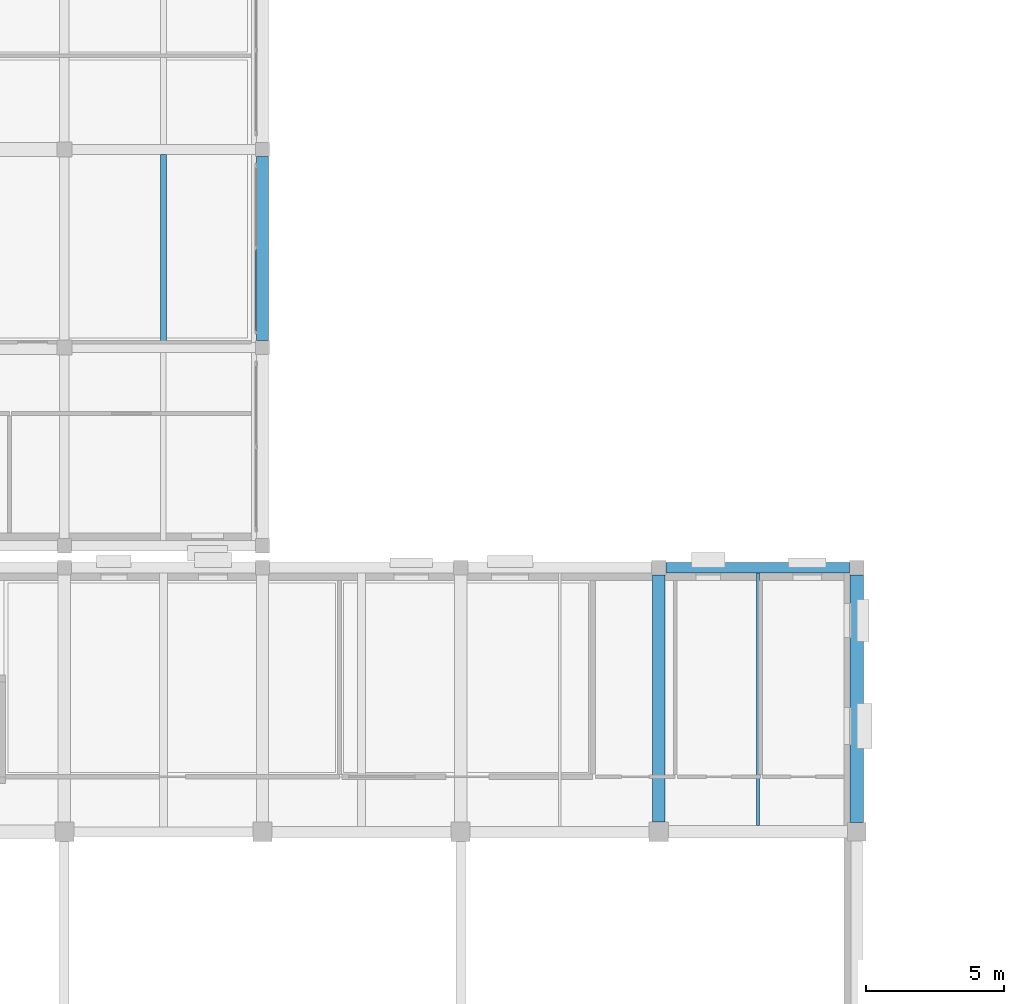
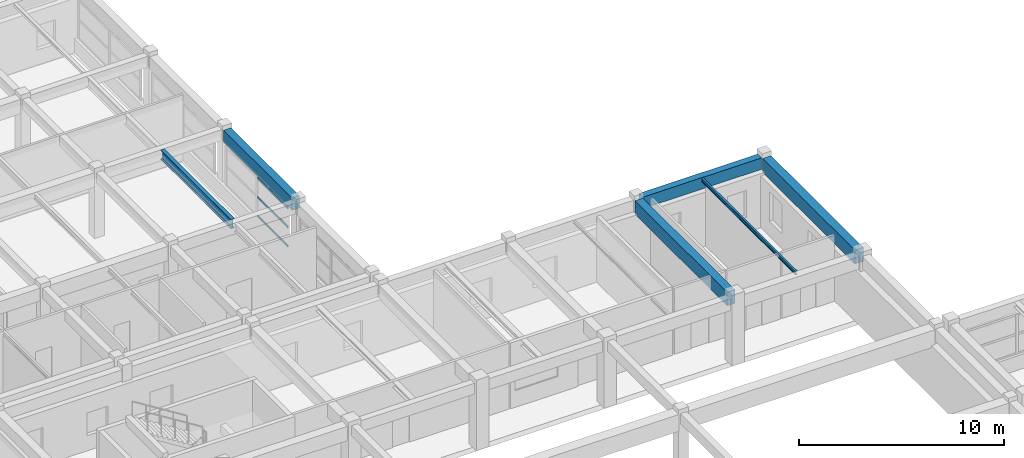
# One storey, part 9 of 67: 6 beams, 3 members, 1 element without a shape of its own.
"""IFC4 building model written with IfcOpenShell, lengths in metres."""

from ifc_helpers import new_model, si_unit, direction, frame, origin, origin_2d, place, context, subcontext, project, spatial, rectangle, hollow_rectangle, i_section, extrude, material, material_profile, profile_set, type_object, element, aggregate, save


model = new_model("IFC4")

# Units and contexts
model_context = context("Model", 3, precision=1e-05, world=origin(), true_north=direction((0.0, 1.0)))
body_context = subcontext(model_context, "Body", "Model", "MODEL_VIEW")
ifc_project = project(units=[si_unit("LENGTHUNIT", "METRE"), si_unit("AREAUNIT", "SQUARE_METRE"), si_unit("VOLUMEUNIT", "CUBIC_METRE"), si_unit("PLANEANGLEUNIT", "RADIAN"), si_unit("MASSUNIT", "GRAM", prefix="KILO")], contexts=[model_context])

# Site, building, storey
site_placement = place(None, origin())
site = spatial("IfcSite", under=ifc_project, at=site_placement, CompositionType="ELEMENT")
building_placement = place(site_placement, origin())
building = spatial("IfcBuilding", under=site, at=building_placement, Name="Bramveld Media Centre", CompositionType="ELEMENT")
storey_placement = place(building_placement, frame((0.0, 0.0, 5.39990234375)))
storey = spatial("IfcBuildingStorey", under=building, at=storey_placement, Name="L01", CompositionType="ELEMENT", Elevation=5.39990234375)

# Beam
ifc_material_1 = material(Name="Concrete C40/50", Category="concrete")
ifc_material_profile_1 = material_profile(ifc_material_1, rectangle(XDim=0.449951171875, YDim=0.800048828125, at=origin_2d()), Name="RC 450x800")
ifc_profile_set_1 = profile_set([ifc_material_profile_1], Name="Concrete C40/50")
beam_type_1 = type_object("IfcBeamType", Name="BM-INT-RC-450x800", PredefinedType="BEAM", material=ifc_profile_set_1)
beam_1_placement = place(storey_placement, frame((50.39990234375, 29.14990234375, 3.52001953125), z_axis=(0.0, 1.0, 0.0), x_axis=(-1.0, 0.0, 0.0)))
element("IfcBeam", 1, at=beam_1_placement, inside=storey, type_object=beam_type_1, Name="V2 L01 girder Y-179", PredefinedType="BEAM", context=body_context, shape_type="SweptSolid", body=[
    extrude(rectangle(XDim=0.449951171875, YDim=0.800048828125, at=origin_2d()), origin(), (0.0, 0.0, 1.0), 8.989990234375),
])

# Curtain wall, members
ifc_material_2 = material(Name="Thermally broken anodized bronze aluminium unitized curtain wall with solar-control triple glazing", Category="aluminium")
curtain_wall_type = type_object("IfcCurtainWallType", Name="CW-FACV3-6100x2330", PredefinedType="NOTDEFINED", material=ifc_material_2)
curtain_wall_placement = place(storey_placement, origin())
curtain_wall = element("IfcCurtainWall", 2, at=curtain_wall_placement, inside=storey, type_object=curtain_wall_type, Name="V3 L01 E curtain wall bay 2", PredefinedType="NOTDEFINED")
ifc_material_3 = material(Name="Thermally broken anodized bronze aluminium EN AW-6063 T6 curtain-wall framing", Category="aluminium")
ifc_material_profile_2 = material_profile(ifc_material_3, hollow_rectangle(XDim=0.06005859375, YDim=0.1201171875, WallThickness=0.00341796875, InnerFilletRadius=0.00341796875, OuterFilletRadius=0.007080078125, at=origin_2d()), Name="AL-TRAN 60x120")
ifc_profile_set_2 = profile_set([ifc_material_profile_2], Name="Thermally broken anodized bronze aluminium EN AW-6063 T6 curtain-wall framing")
member_type = type_object("IfcMemberType", Name="CW-TRAN-EXT", PredefinedType="USERDEFINED", material=ifc_profile_set_2)
member_1_placement = place(storey_placement, frame((35.77001953125, 47.010009765625, 0.880126953125), z_axis=(0.0, 1.0, 0.0), x_axis=(-1.0, 0.0, 0.0)))
member_1 = element("IfcMember", 3, at=member_1_placement, type_object=member_type, Name="CW-FA-6123 transom 1.1", ObjectType="TRANSOM", PredefinedType="USERDEFINED", context=body_context, shape_type="SweptSolid", body=[
    extrude(hollow_rectangle(XDim=0.06005859375, YDim=0.1201171875, WallThickness=0.00341796875, InnerFilletRadius=0.00341796875, OuterFilletRadius=0.007080078125, at=origin_2d()), origin(), (0.0, 0.0, 1.0), 2.9599609375),
])
member_2_placement = place(storey_placement, frame((35.77001953125, 47.010009765625, 2.01513671875), z_axis=(0.0, 1.0, 0.0), x_axis=(-1.0, 0.0, 0.0)))
member_2 = element("IfcMember", 4, at=member_2_placement, type_object=member_type, Name="CW-FA-6123 transom 1.2", ObjectType="TRANSOM", PredefinedType="USERDEFINED", context=body_context, shape_type="SweptSolid", body=[
    extrude(hollow_rectangle(XDim=0.06005859375, YDim=0.1201171875, WallThickness=0.00341796875, InnerFilletRadius=0.00341796875, OuterFilletRadius=0.007080078125, at=origin_2d()), origin(), (0.0, 0.0, 1.0), 2.9599609375),
])
member_3_placement = place(storey_placement, frame((35.77001953125, 47.010009765625, 3.150146484375), z_axis=(0.0, 1.0, 0.0), x_axis=(-1.0, 0.0, 0.0)))
member_3 = element("IfcMember", 5, at=member_3_placement, type_object=member_type, Name="CW-FA-6123 transom 1.3", ObjectType="TRANSOM", PredefinedType="USERDEFINED", context=body_context, shape_type="SweptSolid", body=[
    extrude(hollow_rectangle(XDim=0.06005859375, YDim=0.1201171875, WallThickness=0.00341796875, InnerFilletRadius=0.00341796875, OuterFilletRadius=0.007080078125, at=origin_2d()), origin(), (0.0, 0.0, 1.0), 2.9599609375),
])
aggregate(curtain_wall, [member_1, member_2, member_3])

# Beams
ifc_material_4 = material(Name="Steel S355J2", Category="steel")
ifc_material_profile_3 = material_profile(ifc_material_4, i_section(OverallWidth=0.110107421875, OverallDepth=0.219970703125, WebThickness=0.005859375, FlangeThickness=0.00927734375, FilletRadius=0.011962890625, at=origin_2d()), Name="IPE 220")
ifc_profile_set_3 = profile_set([ifc_material_profile_3], Name="Steel S355J2")
beam_type_2 = type_object("IfcBeamType", Name="SBM-INT-IPE-220", PredefinedType="JOIST", material=ifc_profile_set_3)
beam_2_placement = place(storey_placement, frame((54.0, 29.02490234375, 3.81005859375), z_axis=(0.0, 1.0, 0.0), x_axis=(-1.0, 0.0, 0.0)))
element("IfcBeam", 6, at=beam_2_placement, inside=storey, type_object=beam_type_2, Name="V2 L01 secondary floor joist 190", PredefinedType="JOIST", context=body_context, shape_type="SweptSolid", body=[
    extrude(i_section(OverallWidth=0.110107421875, OverallDepth=0.219970703125, WebThickness=0.005859375, FlangeThickness=0.00927734375, FilletRadius=0.011962890625, at=origin_2d()), origin(), (0.0, 0.0, 1.0), 9.18505859375),
])
ifc_material_5 = material(Name="Steel S355J2", Category="steel")
ifc_material_profile_4 = material_profile(ifc_material_5, i_section(OverallWidth=0.2099609375, OverallDepth=0.550048828125, WebThickness=0.010986328125, FlangeThickness=0.01708984375, FilletRadius=0.02392578125, at=origin_2d()), Name="IPE 550")
ifc_profile_set_4 = profile_set([ifc_material_profile_4], Name="Steel S355J2")
beam_type_3 = type_object("IfcBeamType", Name="SBM-INT-IPE-550", PredefinedType="BEAM", material=ifc_profile_set_4)
beam_3_placement = place(storey_placement, frame((32.39990234375, 46.574951171875, 3.6650390625), z_axis=(0.0, 1.0, 0.0), x_axis=(-1.0, 0.0, 0.0)))
element("IfcBeam", 7, at=beam_3_placement, inside=storey, type_object=beam_type_3, Name="V3 L01 secondary floor joist 320", PredefinedType="BEAM", context=body_context, shape_type="SweptSolid", body=[
    extrude(i_section(OverallWidth=0.2099609375, OverallDepth=0.550048828125, WebThickness=0.010986328125, FlangeThickness=0.01708984375, FilletRadius=0.02392578125, at=origin_2d()), origin(), (0.0, 0.0, 1.0), 6.85009765625),
])
ifc_material_6 = material(Name="Concrete C40/50", Category="concrete")
ifc_material_profile_5 = material_profile(ifc_material_6, rectangle(XDim=0.3798828125, YDim=0.679931640625, at=origin_2d()), Name="RC 380x680")
ifc_profile_set_5 = profile_set([ifc_material_profile_5], Name="Concrete C40/50")
beam_type_4 = type_object("IfcBeamType", Name="SPANDREL-EXT-RC-380x680", PredefinedType="SPANDREL", material=ifc_profile_set_5)
beam_4_placement = place(storey_placement, frame((50.659912109375, 38.39990234375, 3.580078125), z_axis=(1.0, 0.0, 0.0), x_axis=(0.0, 1.0, 0.0)))
element("IfcBeam", 8, at=beam_4_placement, inside=storey, type_object=beam_type_4, Name="V2 L01 girder X-160", PredefinedType="SPANDREL", context=body_context, shape_type="SweptSolid", body=[
    extrude(rectangle(XDim=0.3798828125, YDim=0.679931640625, at=origin_2d()), origin(), (0.0, 0.0, 1.0), 6.68017578125),
])
ifc_material_7 = material(Name="Concrete C40/50", Category="concrete")
ifc_material_profile_6 = material_profile(ifc_material_7, rectangle(XDim=0.419921875, YDim=0.719970703125, at=origin_2d()), Name="RC 420x720")
ifc_profile_set_6 = profile_set([ifc_material_profile_6], Name="Concrete C40/50")
beam_type_5 = type_object("IfcBeamType", Name="SPANDREL-EXT-RC-420x720", PredefinedType="SPANDREL", material=ifc_profile_set_6)
beam_5_placement = place(storey_placement, frame((36.0, 46.659912109375, 3.580078125), z_axis=(0.0, 1.0, 0.0), x_axis=(-1.0, 0.0, 0.0)))
element("IfcBeam", 9, at=beam_5_placement, inside=storey, type_object=beam_type_5, Name="V3 L01 girder Y-302", PredefinedType="SPANDREL", context=body_context, shape_type="SweptSolid", body=[
    extrude(rectangle(XDim=0.419921875, YDim=0.719970703125, at=origin_2d()), origin(), (0.0, 0.0, 1.0), 6.68017578125),
])
ifc_material_8 = material(Name="Concrete C40/50", Category="concrete")
ifc_material_profile_7 = material_profile(ifc_material_8, rectangle(XDim=0.47998046875, YDim=0.820068359375, at=origin_2d()), Name="RC 480x820")
ifc_profile_set_7 = profile_set([ifc_material_profile_7], Name="Concrete C40/50")
beam_type_6 = type_object("IfcBeamType", Name="SPANDREL-EXT-RC-480x820", PredefinedType="SPANDREL", material=ifc_profile_set_7)
beam_6_placement = place(storey_placement, frame((57.60009765625, 29.139892578125, 3.510009765625), z_axis=(0.0, 1.0, 0.0), x_axis=(-1.0, 0.0, 0.0)))
element("IfcBeam", 10, at=beam_6_placement, inside=storey, type_object=beam_type_6, Name="V2 L01 girder Y-184", PredefinedType="SPANDREL", context=body_context, shape_type="SweptSolid", body=[
    extrude(rectangle(XDim=0.47998046875, YDim=0.820068359375, at=origin_2d()), origin(), (0.0, 0.0, 1.0), 9.0),
])

save(model, "model.ifc")
